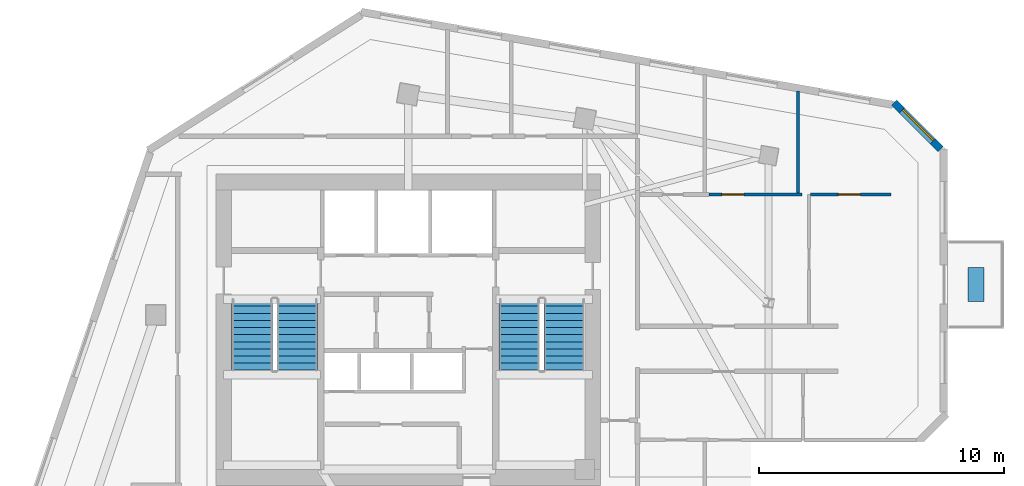
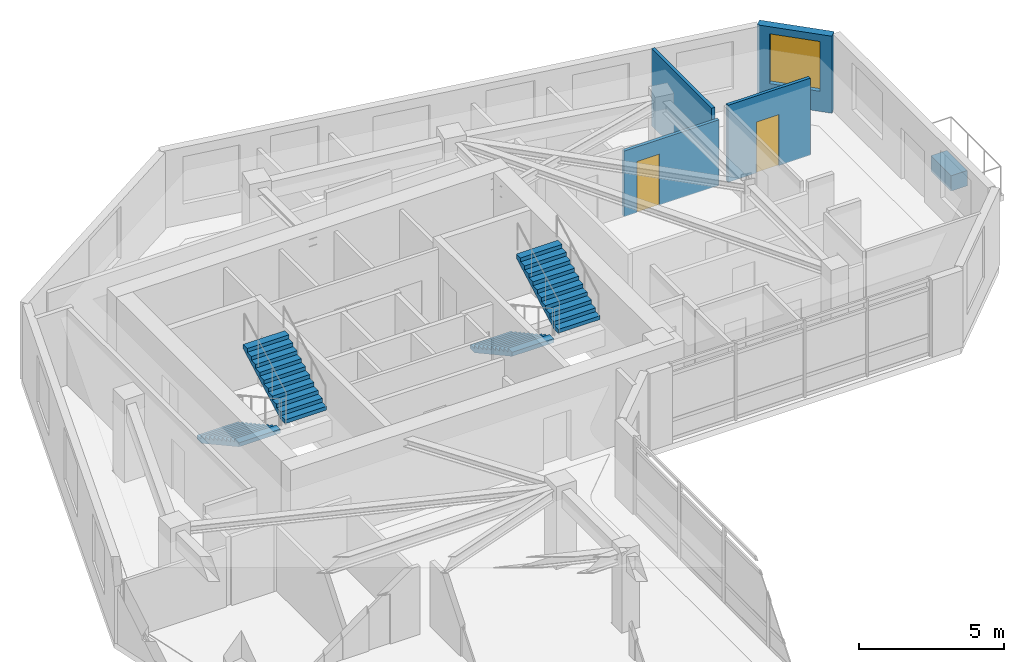
# One storey, part 7 of 10: 4 stair flights, 4 walls, 2 doors, 1 discrete accessory, 1 window, 3 openings, 2 elements without a shape of their own.
"""IFC4 building model written with IfcOpenShell, lengths in metres."""

from ifc_helpers import new_model, si_unit, direction, frame, frame_2d, origin, origin_2d, place, context, subcontext, project, spatial, polyline, rectangle, outline, extrude, source, transform, mapped, material, layer, layer_set, type_object, element, fill, aggregate, save


model = new_model("IFC4")

# Units and contexts
model_context = context("Model", 3, precision=1e-05, world=origin(), true_north=direction((0.0, 1.0)))
body_context = subcontext(model_context, "Body", "Model", "MODEL_VIEW")
ifc_project = project(units=[si_unit("LENGTHUNIT", "METRE"), si_unit("AREAUNIT", "SQUARE_METRE"), si_unit("VOLUMEUNIT", "CUBIC_METRE"), si_unit("PLANEANGLEUNIT", "RADIAN"), si_unit("MASSUNIT", "GRAM", prefix="KILO")], contexts=[model_context])

# Site, building, storey
site_placement = place(None, origin())
site = spatial("IfcSite", under=ifc_project, at=site_placement, CompositionType="ELEMENT")
building_placement = place(site_placement, origin())
building = spatial("IfcBuilding", under=site, at=building_placement, Name="Calvemar Wedge Station Tower", CompositionType="ELEMENT")
storey_placement = place(building_placement, frame((0.0, 0.0, 218.39990234375)))
storey = spatial("IfcBuildingStorey", under=building, at=storey_placement, Name="L55", CompositionType="ELEMENT", Elevation=218.39990234375)

# Wall, opening, window
ifc_material_1 = material(Name="Precast concrete C45", Category="concrete")
ifc_layer_1 = layer(ifc_material_1, 0.300048828125)
ifc_layer_set_1 = layer_set([ifc_layer_1], Name="Precast concrete C45")
wall_type_1 = type_object("IfcWallType", Name="W-EXT-GFRC-300", PredefinedType="SOLIDWALL", material=ifc_layer_set_1)
wall_1_placement = place(storey_placement, frame((45.511962890625, 47.267822265625, 0.0), z_axis=(0.0, 0.0, 1.0), x_axis=(-0.707106781187, 0.707106781187, 0.0)))
wall_1 = element("IfcWall", 1, at=wall_1_placement, inside=storey, type_object=wall_type_1, Name="Storey L55 Bronze GFRC Exterior Wall 9", PredefinedType="SOLIDWALL", context=body_context, shape_type="SweptSolid", body=[
    extrude(rectangle(XDim=2.673828125, YDim=0.300048828125, at=frame_2d((1.3369140625, 0.0))), origin(), (0.0, 0.0, 1.0), 3.25),
])
shared_shape_1 = source(origin(), body_context, "Body", "SweptSolid", [
    extrude(rectangle(XDim=1.800048828125, YDim=2.10009765625, at=frame_2d((0.89990234375, 1.050048828125))), frame((0.0, 0.16015625, 0.0), z_axis=(0.0, -1.0, 0.0), x_axis=(1.0, 0.0, 0.0)), (0.0, 0.0, 1.0), 0.320068359375),
])
opening_1_placement = place(wall_1_placement, frame((0.43701171875, 0.0, 0.85009765625)))
opening_1 = element("IfcOpeningElement", 2, at=opening_1_placement, cuts=wall_1, Name="Opening W2", PredefinedType="OPENING", context=body_context, shape_type="MappedRepresentation", body=[
    mapped(shared_shape_1, transform((0.0, 0.0, 0.0), scale=1.0)),
])
ifc_material_2 = material(Name="Low-E laminated insulated glass", Category="glass")
window_type = type_object("IfcWindowType", Name="WIN-EXT-2", PartitioningType="SINGLE_PANEL", PredefinedType="WINDOW", material=ifc_material_2)
shared_shape_2 = source(origin(), body_context, "Body", "SweptSolid", [
    extrude(rectangle(XDim=1.800048828125, YDim=2.10009765625, at=frame_2d((0.89990234375, 1.050048828125))), frame((0.0, -0.014892578125, 0.0), z_axis=(0.0, -1.0, 0.0), x_axis=(1.0, 0.0, 0.0)), (0.0, 0.0, 1.0), 0.06005859375),
])
window_placement = place(opening_1_placement, origin())
window = element("IfcWindow", 3, at=window_placement, inside=storey, type_object=window_type, Name="Storey L55 Recessed Window 9.1", OverallHeight=2.10009765625, OverallWidth=1.800048828125, PartitioningType="SINGLE_PANEL", PredefinedType="WINDOW", context=body_context, shape_type="MappedRepresentation", body=[
    mapped(shared_shape_2, transform((0.0, 0.0, 0.0), scale=1.0)),
])
fill(opening_1, window)

# Wall, opening, door
ifc_material_3 = material(Name="Insulated acoustic gypsum stud partition")
ifc_layer_2 = layer(ifc_material_3, 0.125)
ifc_layer_set_2 = layer_set([ifc_layer_2], Name="Insulated acoustic gypsum stud partition")
wall_type_2 = type_object("IfcWallType", Name="W-PART-125", PredefinedType="PARTITIONING", material=ifc_layer_set_2)
wall_2_placement = place(storey_placement, frame((36.06201171875, 45.4169921875, 0.0), z_axis=(0.0, 0.0, 1.0), x_axis=(1.0, 0.0, 0.0)))
wall_2 = element("IfcWall", 4, at=wall_2_placement, inside=storey, type_object=wall_type_2, Name="Storey L55 Interior Partition WL-L55-035", PredefinedType="PARTITIONING", context=body_context, shape_type="SweptSolid", body=[
    extrude(rectangle(XDim=3.798095703125, YDim=0.125, at=frame_2d((1.89892578125, 0.0))), origin(), (0.0, 0.0, 1.0), 2.76611328125),
])
shared_shape_3 = source(origin(), body_context, "Body", "SweptSolid", [
    extrude(rectangle(XDim=0.89990234375, YDim=2.14990234375, at=frame_2d((0.449951171875, 1.074951171875))), frame((0.0, 0.072509765625, 0.0), z_axis=(0.0, -1.0, 0.0), x_axis=(1.0, 0.0, 0.0)), (0.0, 0.0, 1.0), 0.14501953125),
])
opening_2_placement = place(wall_2_placement, frame((0.526123046875, 0.0, 0.0)))
opening_2 = element("IfcOpeningElement", 5, at=opening_2_placement, cuts=wall_2, Name="Opening D-01", PredefinedType="OPENING", context=body_context, shape_type="MappedRepresentation", body=[
    mapped(shared_shape_3, transform((0.0, 0.0, 0.0), scale=1.0)),
])
ifc_material_4 = material(Name="Architectural hardwood acoustic swing door", Category="wood")
door_type = type_object("IfcDoorType", Name="DR-INT-900", OperationType="NOTDEFINED", PredefinedType="DOOR", material=ifc_material_4)
shared_shape_4 = source(origin(), body_context, "Body", "SweptSolid", [
    extrude(rectangle(XDim=0.89990234375, YDim=2.14990234375, at=frame_2d((0.449951171875, 1.074951171875))), frame((0.0, 0.02490234375, 0.0), z_axis=(0.0, -1.0, 0.0), x_axis=(1.0, 0.0, 0.0)), (0.0, 0.0, 1.0), 0.050048828125),
])
door_1_placement = place(opening_2_placement, origin())
door_1 = element("IfcDoor", 6, at=door_1_placement, inside=storey, type_object=door_type, Name="L55 Master Bedroom Door", OperationType="SINGLE_SWING_RIGHT", OverallHeight=2.14990234375, OverallWidth=0.89990234375, PredefinedType="DOOR", context=body_context, shape_type="MappedRepresentation", body=[
    mapped(shared_shape_4, transform((0.0, 0.0, 0.0), scale=1.0)),
])
fill(opening_2, door_1)

wall_3_placement = place(storey_placement, frame((40.21240234375, 45.4169921875, 0.0), z_axis=(0.0, 0.0, 1.0), x_axis=(1.0, 0.0, 0.0)))
wall_3 = element("IfcWall", 7, at=wall_3_placement, inside=storey, type_object=wall_type_2, Name="Storey L55 Interior Partition WL-L55-036", PredefinedType="PARTITIONING", context=body_context, shape_type="SweptSolid", body=[
    extrude(rectangle(XDim=3.28759765625, YDim=0.125, at=frame_2d((1.643798828125, 0.0))), origin(), (0.0, 0.0, 1.0), 3.25),
])
opening_3_placement = place(wall_3_placement, frame((1.1328125, 0.0, 0.0)))
opening_3 = element("IfcOpeningElement", 8, at=opening_3_placement, cuts=wall_3, Name="Opening D-01", PredefinedType="OPENING", context=body_context, shape_type="MappedRepresentation", body=[
    mapped(shared_shape_3, transform((0.0, 0.0, 0.0), scale=1.0)),
])
door_2_placement = place(opening_3_placement, origin())
door_2 = element("IfcDoor", 9, at=door_2_placement, inside=storey, type_object=door_type, Name="L55 Master Bedroom Door", OperationType="SINGLE_SWING_LEFT", OverallHeight=2.14990234375, OverallWidth=0.89990234375, PredefinedType="DOOR", context=body_context, shape_type="MappedRepresentation", body=[
    mapped(shared_shape_4, transform((0.0, 0.0, 0.0), scale=1.0)),
])
fill(opening_3, door_2)

# Wall
wall_4_placement = place(storey_placement, frame((39.699951171875, 49.63916015625, 0.0), z_axis=(0.0, 0.0, 1.0), x_axis=(0.0, -1.0, 0.0)))
element("IfcWall", 10, at=wall_4_placement, inside=storey, type_object=wall_type_2, Name="Storey L55 Interior Partition WL-L55-038", PredefinedType="PARTITIONING", context=body_context, shape_type="SweptSolid", body=[
    extrude(rectangle(XDim=4.15576171875, YDim=0.125, at=frame_2d((2.077880859375, 0.0))), origin(), (0.0, 0.0, 1.0), 3.25),
])

# Stair, stair flights
ifc_material_5 = material(Name="Concrete C45", Category="concrete")
stair_type = type_object("IfcStairType", Name="ST-TYPE-3500", PredefinedType="HALF_TURN_STAIR", material=ifc_material_5)
stair_1_placement = place(storey_placement, origin())
stair_1 = element("IfcStair", 11, at=stair_1_placement, inside=storey, type_object=stair_type, Name="L55 Pressurized Core Exit Stair ST-C1", PredefinedType="HALF_TURN_STAIR")
stair_flight_type = type_object("IfcStairFlightType", Name="STF-TYPE-3500", PredefinedType="STRAIGHT", material=ifc_material_5)
stair_flight_1_placement = place(storey_placement, frame((17.429931640625, 41.14990234375, 0.0), z_axis=(0.0, 0.0, 1.0), x_axis=(0.0, -1.0, 0.0)))
stair_flight_1 = element("IfcStairFlight", 12, at=stair_flight_1_placement, type_object=stair_flight_type, Name="ST-C1 flight 1", NumberOfRisers=11, NumberOfTreads=10, PredefinedType="STRAIGHT", RiserHeight=0.159090909, TreadLength=0.29, context=body_context, shape_type="SweptSolid", body=[
    extrude(outline(polyline([(0.0, 0.0), (0.0, 0.1591796875), (0.2900390625, 0.1591796875), (0.2900390625, 0.318115234375), (0.580078125, 0.318115234375), (0.580078125, 0.477294921875), (0.8701171875, 0.477294921875), (0.8701171875, 0.636474609375), (1.159912109375, 0.636474609375), (1.159912109375, 0.79541015625), (1.449951171875, 0.79541015625), (1.449951171875, 0.95458984375), (1.739990234375, 0.95458984375), (1.739990234375, 1.113525390625), (2.030029296875, 1.113525390625), (2.030029296875, 1.272705078125), (2.320068359375, 1.272705078125), (2.320068359375, 1.431884765625), (2.610107421875, 1.431884765625), (2.610107421875, 1.5908203125), (2.89990234375, 1.5908203125), (2.89990234375, 1.75), (2.89990234375, 1.419921875), (0.311767578125, 0.0), (0.0, 0.0)])), frame((0.0, 0.830078125, 0.0), z_axis=(0.0, -1.0, 0.0), x_axis=(1.0, 0.0, 0.0)), (0.0, 0.0, 1.0), 1.659912109375),
])
stair_flight_2_placement = place(storey_placement, frame((19.27001953125, 38.25, 1.75), z_axis=(0.0, 0.0, 1.0), x_axis=(0.0, 1.0, 0.0)))
stair_flight_2 = element("IfcStairFlight", 13, at=stair_flight_2_placement, type_object=stair_flight_type, Name="ST-C1 flight 2", NumberOfRisers=11, NumberOfTreads=10, PredefinedType="STRAIGHT", RiserHeight=0.159090909, TreadLength=0.29, context=body_context, shape_type="SweptSolid", body=[
    extrude(outline(polyline([(0.0, 0.0), (0.0, 0.1591796875), (0.2900390625, 0.1591796875), (0.2900390625, 0.318115234375), (0.580078125, 0.318115234375), (0.580078125, 0.477294921875), (0.8701171875, 0.477294921875), (0.8701171875, 0.636474609375), (1.159912109375, 0.636474609375), (1.159912109375, 0.79541015625), (1.449951171875, 0.79541015625), (1.449951171875, 0.95458984375), (1.739990234375, 0.95458984375), (1.739990234375, 1.113525390625), (2.030029296875, 1.113525390625), (2.030029296875, 1.272705078125), (2.320068359375, 1.272705078125), (2.320068359375, 1.431884765625), (2.610107421875, 1.431884765625), (2.610107421875, 1.5908203125), (2.89990234375, 1.5908203125), (2.89990234375, 1.75), (2.89990234375, 1.419921875), (0.311767578125, 0.0), (0.0, 0.0)])), frame((0.0, 0.830078125, 0.0), z_axis=(0.0, -1.0, 0.0), x_axis=(1.0, 0.0, 0.0)), (0.0, 0.0, 1.0), 1.659912109375),
])
aggregate(stair_1, [stair_flight_1, stair_flight_2])

stair_2_placement = place(storey_placement, origin())
stair_2 = element("IfcStair", 14, at=stair_2_placement, inside=storey, type_object=stair_type, Name="L55 Pressurized Core Exit Stair ST-C2", PredefinedType="HALF_TURN_STAIR")
stair_flight_3_placement = place(storey_placement, frame((28.330078125, 41.14990234375, 0.0), z_axis=(0.0, 0.0, 1.0), x_axis=(0.0, -1.0, 0.0)))
stair_flight_3 = element("IfcStairFlight", 15, at=stair_flight_3_placement, type_object=stair_flight_type, Name="ST-C2 flight 1", NumberOfRisers=11, NumberOfTreads=10, PredefinedType="STRAIGHT", RiserHeight=0.159090909, TreadLength=0.29, context=body_context, shape_type="SweptSolid", body=[
    extrude(outline(polyline([(0.0, 0.0), (0.0, 0.1591796875), (0.2900390625, 0.1591796875), (0.2900390625, 0.318115234375), (0.580078125, 0.318115234375), (0.580078125, 0.477294921875), (0.8701171875, 0.477294921875), (0.8701171875, 0.636474609375), (1.159912109375, 0.636474609375), (1.159912109375, 0.79541015625), (1.449951171875, 0.79541015625), (1.449951171875, 0.95458984375), (1.739990234375, 0.95458984375), (1.739990234375, 1.113525390625), (2.030029296875, 1.113525390625), (2.030029296875, 1.272705078125), (2.320068359375, 1.272705078125), (2.320068359375, 1.431884765625), (2.610107421875, 1.431884765625), (2.610107421875, 1.5908203125), (2.89990234375, 1.5908203125), (2.89990234375, 1.75), (2.89990234375, 1.419921875), (0.311767578125, 0.0), (0.0, 0.0)])), frame((0.0, 0.830078125, 0.0), z_axis=(0.0, -1.0, 0.0), x_axis=(1.0, 0.0, 0.0)), (0.0, 0.0, 1.0), 1.659912109375),
])
stair_flight_4_placement = place(storey_placement, frame((30.169921875, 38.25, 1.75), z_axis=(0.0, 0.0, 1.0), x_axis=(0.0, 1.0, 0.0)))
stair_flight_4 = element("IfcStairFlight", 16, at=stair_flight_4_placement, type_object=stair_flight_type, Name="ST-C2 flight 2", NumberOfRisers=11, NumberOfTreads=10, PredefinedType="STRAIGHT", RiserHeight=0.159090909, TreadLength=0.29, context=body_context, shape_type="SweptSolid", body=[
    extrude(outline(polyline([(0.0, 0.0), (0.0, 0.1591796875), (0.2900390625, 0.1591796875), (0.2900390625, 0.318115234375), (0.580078125, 0.318115234375), (0.580078125, 0.477294921875), (0.8701171875, 0.477294921875), (0.8701171875, 0.636474609375), (1.159912109375, 0.636474609375), (1.159912109375, 0.79541015625), (1.449951171875, 0.79541015625), (1.449951171875, 0.95458984375), (1.739990234375, 0.95458984375), (1.739990234375, 1.113525390625), (2.030029296875, 1.113525390625), (2.030029296875, 1.272705078125), (2.320068359375, 1.272705078125), (2.320068359375, 1.431884765625), (2.610107421875, 1.431884765625), (2.610107421875, 1.5908203125), (2.89990234375, 1.5908203125), (2.89990234375, 1.75), (2.89990234375, 1.419921875), (0.311767578125, 0.0), (0.0, 0.0)])), frame((0.0, 0.830078125, 0.0), z_axis=(0.0, -1.0, 0.0), x_axis=(1.0, 0.0, 0.0)), (0.0, 0.0, 1.0), 1.659912109375),
])
aggregate(stair_2, [stair_flight_3, stair_flight_4])

# Discrete accessory
discrete_accessory_type = type_object("IfcDiscreteAccessoryType", Name="ACC-PLANTER", PredefinedType="USERDEFINED", material=ifc_material_1)
shared_shape_5 = source(origin(), body_context, "Body", "SweptSolid", [
    extrude(rectangle(XDim=0.64990234375, YDim=1.39990234375, at=origin_2d()), origin(), (0.0, 0.0, 1.0), 0.64990234375),
])
discrete_accessory_placement = place(storey_placement, frame((46.949951171875, 41.741943359375, 0.000244140625), z_axis=(0.0, 0.0, 1.0), x_axis=(1.0, 0.0, 0.0)))
element("IfcDiscreteAccessory", 17, at=discrete_accessory_placement, inside=storey, type_object=discrete_accessory_type, Name="Storey L55 Planted Terrace GFRC Planter", ObjectType="PLANTER", PredefinedType="USERDEFINED", context=body_context, shape_type="MappedRepresentation", body=[
    mapped(shared_shape_5, transform((0.0, 0.0, 0.0), scale=1.0)),
])

save(model, "model.ifc")
